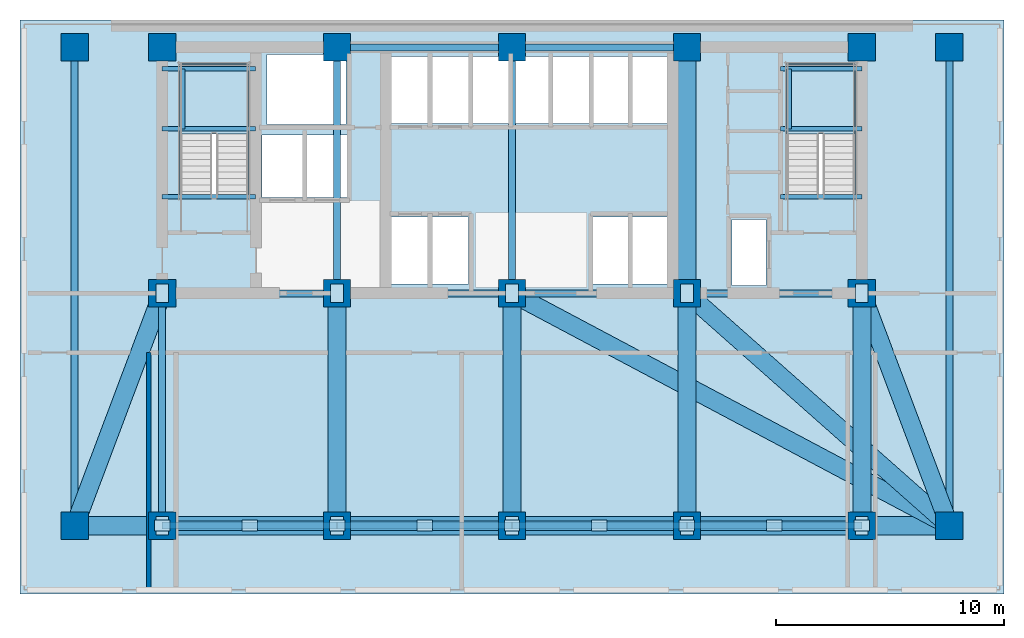
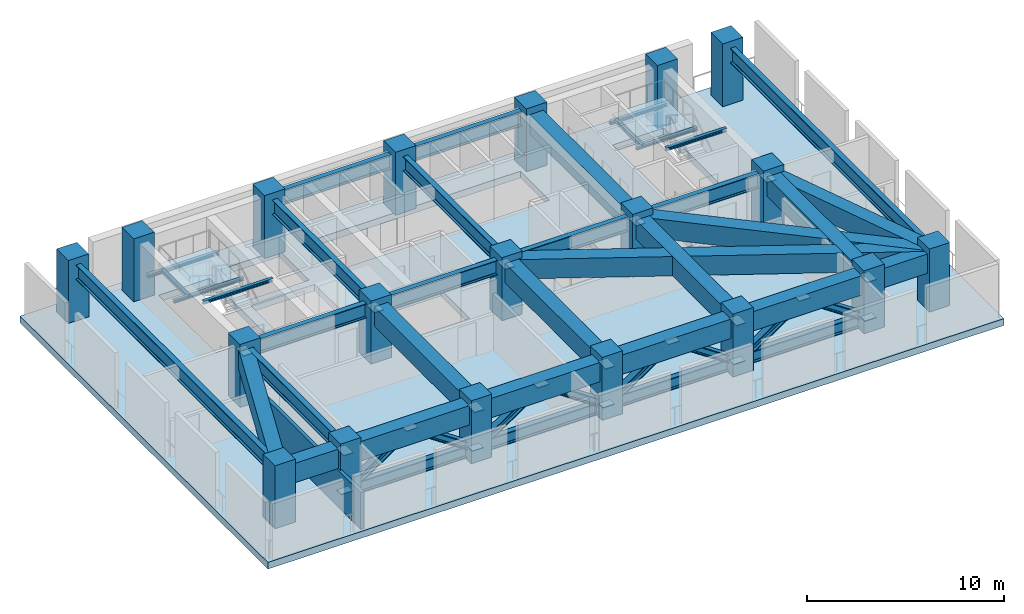
# One storey, part 1 of 7: 29 beams, 19 columns, 19 plates, 12 members, 3 slabs, 1 wall, 2 elements without a shape of their own.
"""IFC4 building model written with IfcOpenShell, lengths in metres."""

from ifc_helpers import new_model, si_unit, direction, frame, frame_2d, origin, origin_2d, place, context, subcontext, project, spatial, polyline, rectangle, i_section, outline, extrude, material, layer, layer_set, material_profile, profile_set, type_object, element, aggregate, save


model = new_model("IFC4")

# Units and contexts
model_context = context("Model", 3, precision=1e-05, world=origin(), true_north=direction((0.0, 1.0)))
body_context = subcontext(model_context, "Body", "Model", "MODEL_VIEW")
ifc_project = project(units=[si_unit("LENGTHUNIT", "METRE"), si_unit("AREAUNIT", "SQUARE_METRE"), si_unit("VOLUMEUNIT", "CUBIC_METRE"), si_unit("PLANEANGLEUNIT", "RADIAN"), si_unit("MASSUNIT", "GRAM", prefix="KILO")], contexts=[model_context])

# Site, building, storey
site_placement = place(None, origin())
site = spatial("IfcSite", under=ifc_project, at=site_placement, CompositionType="ELEMENT")
building_placement = place(site_placement, origin())
building = spatial("IfcBuilding", under=site, at=building_placement, Name="Yelkora Congress Tower", CompositionType="ELEMENT")
storey_placement = place(building_placement, frame((0.0, 0.0, 85.800048828125)))
storey = spatial("IfcBuildingStorey", under=building, at=storey_placement, Name="L22", CompositionType="ELEMENT", Elevation=85.800048828125)

# Columns
ifc_material_1 = material(Name="Concrete C60/75", Category="concrete")
ifc_material_profile_1 = material_profile(ifc_material_1, rectangle(XDim=1.199951171875, YDim=1.199951171875, at=origin_2d()), Name="RC 1200x1200")
ifc_profile_set_1 = profile_set([ifc_material_profile_1], Name="Concrete C60/75")
column_type = type_object("IfcColumnType", Name="COL-RC-1200", PredefinedType="COLUMN", material=ifc_profile_set_1)
for number, where, z_axis, x_axis, name in (
    (1, (23.0400390625, 35.39990234375, 0.0), (0.0, 0.0, 1.0), (1.0, 0.0, 0.0), "L22 Mega Column MC-S1"),
    (2, (23.0400390625, 46.199951171875, 0.0), (0.0, 0.0, 1.0), (1.0, 0.0, 0.0), "L22 Mega Column MC-N1"),
    (3, (23.0400390625, 25.199951171875, 0.0), (0.0, 0.0, 1.0), (1.0, 0.0, 0.0), "L22 Mega Column MC-D1"),
    (4, (30.719970703125, 35.39990234375, 0.0), (0.0, 0.0, 1.0), (1.0, 0.0, 0.0), "L22 Mega Column MC-S2"),
    (5, (30.719970703125, 46.199951171875, 0.0), (0.0, 0.0, 1.0), (1.0, 0.0, 0.0), "L22 Mega Column MC-N2"),
    (6, (30.719970703125, 25.199951171875, 0.0), (0.0, 0.0, 1.0), (1.0, 0.0, 0.0), "L22 Mega Column MC-D2"),
    (7, (38.39990234375, 35.39990234375, 0.0), (0.0, 0.0, 1.0), (1.0, 0.0, 0.0), "L22 Mega Column MC-S3"),
    (8, (38.39990234375, 46.199951171875, 0.0), (0.0, 0.0, 1.0), (1.0, 0.0, 0.0), "L22 Mega Column MC-N3"),
    (9, (38.39990234375, 25.199951171875, 0.0), (0.0, 0.0, 1.0), (1.0, 0.0, 0.0), "L22 Mega Column MC-D3"),
    (10, (46.080078125, 35.39990234375, 0.0), (0.0, 0.0, 1.0), (1.0, 0.0, 0.0), "L22 Mega Column MC-S4"),
    (11, (46.080078125, 46.199951171875, 0.0), (0.0, 0.0, 1.0), (1.0, 0.0, 0.0), "L22 Mega Column MC-N4"),
    (12, (46.080078125, 25.199951171875, 0.0), (0.0, 0.0, 1.0), (1.0, 0.0, 0.0), "L22 Mega Column MC-D4"),
    (13, (53.760009765625, 35.39990234375, 0.0), (0.0, 0.0, 1.0), (1.0, 0.0, 0.0), "L22 Mega Column MC-S5"),
    (14, (53.760009765625, 46.199951171875, 0.0), (0.0, 0.0, 1.0), (1.0, 0.0, 0.0), "L22 Mega Column MC-N5"),
    (15, (53.760009765625, 25.199951171875, 0.0), (0.0, 0.0, 1.0), (1.0, 0.0, 0.0), "L22 Mega Column MC-D5"),
    (16, (19.199951171875, 25.199951171875, 0.0), (0.0, 0.0, 1.0), (1.0, 0.0, 0.0), "L22 Mega Column MC-F1"),
    (17, (57.60009765625, 25.199951171875, 0.0), (0.0, 0.0, 1.0), (1.0, 0.0, 0.0), "L22 Mega Column MC-F2"),
    (18, (19.199951171875, 46.199951171875, 0.0), (0.0, 0.0, 1.0), (1.0, 0.0, 0.0), "L22 Mega Column MC-F3"),
    (19, (57.60009765625, 46.199951171875, 0.0), (0.0, 0.0, 1.0), (1.0, 0.0, 0.0), "L22 Mega Column MC-F4"),
):
    element("IfcColumn", number, at=place(storey_placement, frame(where, z_axis=z_axis, x_axis=x_axis)), inside=storey, type_object=column_type, Name=name, PredefinedType="COLUMN", context=body_context, shape_type="SweptSolid", body=[
        extrude(rectangle(XDim=1.199951171875, YDim=1.199951171875, at=origin_2d()), origin(), (0.0, 0.0, 1.0), 3.89990234375),
    ])

# Beams
ifc_material_2 = material(Name="Steel S355J2", Category="steel")
ifc_material_profile_2 = material_profile(ifc_material_2, i_section(OverallWidth=0.199951171875, OverallDepth=0.18994140625, WebThickness=0.006591796875, FlangeThickness=0.010009765625, FilletRadius=0.01806640625, at=origin_2d()), Name="HEA 200")
ifc_profile_set_2 = profile_set([ifc_material_profile_2], Name="Steel S355J2")
beam_type_1 = type_object("IfcBeamType", Name="BM-LAND-HEA200", PredefinedType="BEAM", material=ifc_profile_set_2)
for number, where, z_axis, x_axis, name in (
    (20, (23.0400390625, 42.6201171875, 1.634521484375), (1.0, 0.0, 0.0), (0.0, 1.0, 0.0), "ST-01 L22 Landing Header Beam 1S"),
    (21, (23.0400390625, 45.25, 1.634521484375), (1.0, 0.0, 0.0), (0.0, 1.0, 0.0), "ST-01 L22 Landing Header Beam 1N"),
):
    element("IfcBeam", number, at=place(storey_placement, frame(where, z_axis=z_axis, x_axis=x_axis)), inside=storey, type_object=beam_type_1, Name=name, PredefinedType="BEAM", context=body_context, shape_type="SweptSolid", body=[
        extrude(i_section(OverallWidth=0.199951171875, OverallDepth=0.18994140625, WebThickness=0.006591796875, FlangeThickness=0.010009765625, FilletRadius=0.01806640625, at=origin_2d()), origin(), (0.0, 0.0, 1.0), 4.10986328125),
    ])
beam_1_placement = place(storey_placement, frame((23.93994140625, 42.6201171875, 1.634521484375), z_axis=(0.0, 1.0, 0.0), x_axis=(-1.0, 0.0, 0.0)))
element("IfcBeam", 22, at=beam_1_placement, inside=storey, type_object=beam_type_1, Name="ST-01 L22 Landing Trimmer Beam 1M", PredefinedType="BEAM", context=body_context, shape_type="SweptSolid", body=[
    extrude(i_section(OverallWidth=0.199951171875, OverallDepth=0.18994140625, WebThickness=0.006591796875, FlangeThickness=0.010009765625, FilletRadius=0.01806640625, at=origin_2d()), origin(), (0.0, 0.0, 1.0), 2.6298828125),
])
beam_2_placement = place(storey_placement, frame((23.0400390625, 39.639892578125, 3.384521484375), z_axis=(1.0, 0.0, 0.0), x_axis=(0.0, 1.0, 0.0)))
element("IfcBeam", 23, at=beam_2_placement, inside=storey, type_object=beam_type_1, Name="ST-01 L22 Floor Arrival Stringer Header Beam", PredefinedType="BEAM", context=body_context, shape_type="SweptSolid", body=[
    extrude(i_section(OverallWidth=0.199951171875, OverallDepth=0.18994140625, WebThickness=0.006591796875, FlangeThickness=0.010009765625, FilletRadius=0.01806640625, at=origin_2d()), origin(), (0.0, 0.0, 1.0), 4.10986328125),
])
for number, where, z_axis, x_axis, name in (
    (24, (50.179931640625, 42.6201171875, 1.634521484375), (1.0, 0.0, 0.0), (0.0, 1.0, 0.0), "ST-02 L22 Landing Header Beam 1S"),
    (25, (50.179931640625, 45.25, 1.634521484375), (1.0, 0.0, 0.0), (0.0, 1.0, 0.0), "ST-02 L22 Landing Header Beam 1N"),
):
    element("IfcBeam", number, at=place(storey_placement, frame(where, z_axis=z_axis, x_axis=x_axis)), inside=storey, type_object=beam_type_1, Name=name, PredefinedType="BEAM", context=body_context, shape_type="SweptSolid", body=[
        extrude(i_section(OverallWidth=0.199951171875, OverallDepth=0.18994140625, WebThickness=0.006591796875, FlangeThickness=0.010009765625, FilletRadius=0.01806640625, at=origin_2d()), origin(), (0.0, 0.0, 1.0), 3.580078125),
    ])
beam_3_placement = place(storey_placement, frame((50.580078125, 42.6201171875, 1.634521484375), z_axis=(0.0, 1.0, 0.0), x_axis=(-1.0, 0.0, 0.0)))
element("IfcBeam", 26, at=beam_3_placement, inside=storey, type_object=beam_type_1, Name="ST-02 L22 Landing Trimmer Beam 1M", PredefinedType="BEAM", context=body_context, shape_type="SweptSolid", body=[
    extrude(i_section(OverallWidth=0.199951171875, OverallDepth=0.18994140625, WebThickness=0.006591796875, FlangeThickness=0.010009765625, FilletRadius=0.01806640625, at=origin_2d()), origin(), (0.0, 0.0, 1.0), 2.6298828125),
])
beam_4_placement = place(storey_placement, frame((50.179931640625, 39.639892578125, 3.384521484375), z_axis=(1.0, 0.0, 0.0), x_axis=(0.0, 1.0, 0.0)))
element("IfcBeam", 27, at=beam_4_placement, inside=storey, type_object=beam_type_1, Name="ST-02 L22 Floor Arrival Stringer Header Beam", PredefinedType="BEAM", context=body_context, shape_type="SweptSolid", body=[
    extrude(i_section(OverallWidth=0.199951171875, OverallDepth=0.18994140625, WebThickness=0.006591796875, FlangeThickness=0.010009765625, FilletRadius=0.01806640625, at=origin_2d()), origin(), (0.0, 0.0, 1.0), 3.580078125),
])
ifc_material_3 = material(Name="Steel S460M", Category="steel")
ifc_material_profile_3 = material_profile(ifc_material_3, i_section(OverallWidth=0.302001953125, OverallDepth=0.909912109375, WebThickness=0.02099609375, FlangeThickness=0.0400390625, FilletRadius=0.030029296875, at=origin_2d()), Name="HEM 900")
ifc_profile_set_3 = profile_set([ifc_material_profile_3], Name="Steel S460M")
beam_type_2 = type_object("IfcBeamType", Name="BM-XFER-HEM900", PredefinedType="BEAM", material=ifc_profile_set_3)
beam_5_placement = place(storey_placement, frame((30.719970703125, 46.199951171875, 3.02490234375), z_axis=(1.0, 0.0, 0.0), x_axis=(0.0, 1.0, 0.0)))
element("IfcBeam", 28, at=beam_5_placement, inside=storey, type_object=beam_type_2, Name="L22 Core North Girder 3", PredefinedType="BEAM", context=body_context, shape_type="SweptSolid", body=[
    extrude(i_section(OverallWidth=0.302001953125, OverallDepth=0.909912109375, WebThickness=0.02099609375, FlangeThickness=0.0400390625, FilletRadius=0.030029296875, at=origin_2d()), origin(), (0.0, 0.0, 1.0), 7.679931640625),
])
beam_6_placement = place(storey_placement, frame((38.39990234375, 46.199951171875, 3.02490234375), z_axis=(1.0, 0.0, 0.0), x_axis=(0.0, 1.0, 0.0)))
element("IfcBeam", 29, at=beam_6_placement, inside=storey, type_object=beam_type_2, Name="L22 Core North Girder 4", PredefinedType="BEAM", context=body_context, shape_type="SweptSolid", body=[
    extrude(i_section(OverallWidth=0.302001953125, OverallDepth=0.909912109375, WebThickness=0.02099609375, FlangeThickness=0.0400390625, FilletRadius=0.030029296875, at=origin_2d()), origin(), (0.0, 0.0, 1.0), 7.68017578125),
])
for number, where, z_axis, x_axis, name in (
    (30, (23.0400390625, 35.39990234375, 3.02490234375), (1.0, 0.0, 0.0), (0.0, 1.0, 0.0), "L22 Core South Girder 1"),
    (31, (30.719970703125, 35.39990234375, 3.02490234375), (1.0, 0.0, 0.0), (0.0, 1.0, 0.0), "L22 Core South Girder 2"),
):
    element("IfcBeam", number, at=place(storey_placement, frame(where, z_axis=z_axis, x_axis=x_axis)), inside=storey, type_object=beam_type_2, Name=name, PredefinedType="BEAM", context=body_context, shape_type="SweptSolid", body=[
        extrude(i_section(OverallWidth=0.302001953125, OverallDepth=0.909912109375, WebThickness=0.02099609375, FlangeThickness=0.0400390625, FilletRadius=0.030029296875, at=origin_2d()), origin(), (0.0, 0.0, 1.0), 7.679931640625),
    ])
beam_7_placement = place(storey_placement, frame((38.39990234375, 35.39990234375, 3.02490234375), z_axis=(1.0, 0.0, 0.0), x_axis=(0.0, 1.0, 0.0)))
element("IfcBeam", 32, at=beam_7_placement, inside=storey, type_object=beam_type_2, Name="L22 Core South Girder 3", PredefinedType="BEAM", context=body_context, shape_type="SweptSolid", body=[
    extrude(i_section(OverallWidth=0.302001953125, OverallDepth=0.909912109375, WebThickness=0.02099609375, FlangeThickness=0.0400390625, FilletRadius=0.030029296875, at=origin_2d()), origin(), (0.0, 0.0, 1.0), 7.68017578125),
])
beam_8_placement = place(storey_placement, frame((46.080078125, 35.39990234375, 3.02490234375), z_axis=(1.0, 0.0, 0.0), x_axis=(0.0, 1.0, 0.0)))
element("IfcBeam", 33, at=beam_8_placement, inside=storey, type_object=beam_type_2, Name="L22 Core South Girder 4", PredefinedType="BEAM", context=body_context, shape_type="SweptSolid", body=[
    extrude(i_section(OverallWidth=0.302001953125, OverallDepth=0.909912109375, WebThickness=0.02099609375, FlangeThickness=0.0400390625, FilletRadius=0.030029296875, at=origin_2d()), origin(), (0.0, 0.0, 1.0), 7.679931640625),
])
beam_9_placement = place(storey_placement, frame((23.0400390625, 25.199951171875, 3.02490234375), z_axis=(0.0, 1.0, 0.0), x_axis=(-1.0, 0.0, 0.0)))
element("IfcBeam", 34, at=beam_9_placement, inside=storey, type_object=beam_type_2, Name="L22 Core Tie Girder MC-D1", PredefinedType="BEAM", context=body_context, shape_type="SweptSolid", body=[
    extrude(i_section(OverallWidth=0.302001953125, OverallDepth=0.909912109375, WebThickness=0.02099609375, FlangeThickness=0.0400390625, FilletRadius=0.030029296875, at=origin_2d()), origin(), (0.0, 0.0, 1.0), 10.199951171875),
])
for number, where, z_axis, x_axis, name in (
    (35, (30.719970703125, 35.39990234375, 3.02490234375), (0.0, 1.0, 0.0), (-1.0, 0.0, 0.0), "L22 Core Tie Girder MC-S2"),
    (36, (38.39990234375, 35.39990234375, 3.02490234375), (0.0, 1.0, 0.0), (-1.0, 0.0, 0.0), "L22 Core Tie Girder MC-S3"),
):
    element("IfcBeam", number, at=place(storey_placement, frame(where, z_axis=z_axis, x_axis=x_axis)), inside=storey, type_object=beam_type_2, Name=name, PredefinedType="BEAM", context=body_context, shape_type="SweptSolid", body=[
        extrude(i_section(OverallWidth=0.302001953125, OverallDepth=0.909912109375, WebThickness=0.02099609375, FlangeThickness=0.0400390625, FilletRadius=0.030029296875, at=origin_2d()), origin(), (0.0, 0.0, 1.0), 10.800048828125),
    ])
for number, where, z_axis, x_axis, name in (
    (37, (19.199951171875, 25.199951171875, 3.02490234375), (0.0, 1.0, 0.0), (-1.0, 0.0, 0.0), "L22 Neck Flank Girder MC-F1"),
    (38, (57.60009765625, 25.199951171875, 3.02490234375), (0.0, 1.0, 0.0), (-1.0, 0.0, 0.0), "L22 Neck Flank Girder MC-F2"),
):
    element("IfcBeam", number, at=place(storey_placement, frame(where, z_axis=z_axis, x_axis=x_axis)), inside=storey, type_object=beam_type_2, Name=name, PredefinedType="BEAM", context=body_context, shape_type="SweptSolid", body=[
        extrude(i_section(OverallWidth=0.302001953125, OverallDepth=0.909912109375, WebThickness=0.02099609375, FlangeThickness=0.0400390625, FilletRadius=0.030029296875, at=origin_2d()), origin(), (0.0, 0.0, 1.0), 21.0),
    ])
ifc_material_profile_4 = material_profile(ifc_material_1, rectangle(XDim=0.800048828125, YDim=1.199951171875, at=origin_2d()), Name="RC 800x1200")
ifc_profile_set_4 = profile_set([ifc_material_profile_4], Name="Concrete C60/75")
beam_type_3 = type_object("IfcBeamType", Name="BM-XFER-RC1200", PredefinedType="BEAM", material=ifc_profile_set_4)
beam_10_placement = place(storey_placement, frame((23.0400390625, 35.39990234375, 2.8798828125), z_axis=(-0.352338299189, -0.935872706582, 0.0), x_axis=(0.935872706582, -0.352338299189, 0.0)))
element("IfcBeam", 39, at=beam_10_placement, inside=storey, type_object=beam_type_3, Name="L22 Transfer Backspan Girder S01", PredefinedType="BEAM", context=body_context, shape_type="SweptSolid", body=[
    extrude(rectangle(XDim=0.800048828125, YDim=1.199951171875, at=origin_2d()), origin(), (0.0, 0.0, 1.0), 10.89892578125),
])
for number, where, z_axis, x_axis, name in (
    (40, (30.719970703125, 35.39990234375, 2.8798828125), (0.0, -1.0, 0.0), (1.0, 0.0, 0.0), "L22 Transfer Backspan Girder S02"),
    (41, (38.39990234375, 35.39990234375, 2.8798828125), (0.0, -1.0, 0.0), (1.0, 0.0, 0.0), "L22 Transfer Backspan Girder S03"),
    (42, (46.080078125, 35.39990234375, 2.8798828125), (0.0, -1.0, 0.0), (1.0, 0.0, 0.0), "L22 Transfer Backspan Girder S04"),
    (43, (53.760009765625, 35.39990234375, 2.8798828125), (0.0, -1.0, 0.0), (1.0, 0.0, 0.0), "L22 Transfer Backspan Girder S05"),
):
    element("IfcBeam", number, at=place(storey_placement, frame(where, z_axis=z_axis, x_axis=x_axis)), inside=storey, type_object=beam_type_3, Name=name, PredefinedType="BEAM", context=body_context, shape_type="SweptSolid", body=[
        extrude(rectangle(XDim=0.800048828125, YDim=1.199951171875, at=origin_2d()), origin(), (0.0, 0.0, 1.0), 10.199951171875),
    ])
beam_11_placement = place(storey_placement, frame((53.760009765625, 35.39990234375, 2.8798828125), z_axis=(0.352338299189, -0.935872706582, 0.0), x_axis=(0.935872706582, 0.352338299189, 0.0)))
element("IfcBeam", 44, at=beam_11_placement, inside=storey, type_object=beam_type_3, Name="L22 Transfer Backspan Girder S06", PredefinedType="BEAM", context=body_context, shape_type="SweptSolid", body=[
    extrude(rectangle(XDim=0.800048828125, YDim=1.199951171875, at=origin_2d()), origin(), (0.0, 0.0, 1.0), 10.89892578125),
])
beam_12_placement = place(storey_placement, frame((46.080078125, 35.39990234375, 2.8798828125), z_axis=(0.748700900637, -0.662907958456, 0.0), x_axis=(0.662907958456, 0.748700900637, 0.0)))
element("IfcBeam", 45, at=beam_12_placement, inside=storey, type_object=beam_type_3, Name="L22 Transfer Backspan Girder S07", PredefinedType="BEAM", context=body_context, shape_type="SweptSolid", body=[
    extrude(rectangle(XDim=0.800048828125, YDim=1.199951171875, at=origin_2d()), origin(), (0.0, 0.0, 1.0), 15.38671875),
])
beam_13_placement = place(storey_placement, frame((38.39990234375, 35.39990234375, 2.8798828125), z_axis=(0.883118627261, -0.469149752408, 0.0), x_axis=(0.469149752408, 0.883118627261, 0.0)))
element("IfcBeam", 46, at=beam_13_placement, inside=storey, type_object=beam_type_3, Name="L22 Transfer Backspan Girder S08", PredefinedType="BEAM", context=body_context, shape_type="SweptSolid", body=[
    extrude(rectangle(XDim=0.800048828125, YDim=1.199951171875, at=origin_2d()), origin(), (0.0, 0.0, 1.0), 21.741455078125),
])
beam_14_placement = place(storey_placement, frame((46.080078125, 35.39990234375, 2.8798828125), z_axis=(0.0, 1.0, 0.0), x_axis=(-1.0, 0.0, 0.0)))
element("IfcBeam", 47, at=beam_14_placement, inside=storey, type_object=beam_type_3, Name="L22 Transfer Backspan Girder N05", PredefinedType="BEAM", context=body_context, shape_type="SweptSolid", body=[
    extrude(rectangle(XDim=0.800048828125, YDim=1.199951171875, at=origin_2d()), origin(), (0.0, 0.0, 1.0), 10.800048828125),
])
beam_15_placement = place(storey_placement, frame((19.199951171875, 25.199951171875, 2.8798828125), z_axis=(1.0, 0.0, 0.0), x_axis=(0.0, 1.0, 0.0)))
element("IfcBeam", 48, at=beam_15_placement, inside=storey, type_object=beam_type_3, Name="L22 Transfer Backspan Girder E01", PredefinedType="BEAM", context=body_context, shape_type="SweptSolid", body=[
    extrude(rectangle(XDim=0.800048828125, YDim=1.199951171875, at=origin_2d()), origin(), (0.0, 0.0, 1.0), 38.400146484375),
])

# Members
ifc_material_profile_5 = material_profile(ifc_material_3, i_section(OverallWidth=0.406005859375, OverallDepth=0.416015625, WebThickness=0.02978515625, FlangeThickness=0.048095703125, FilletRadius=0.014892578125, at=origin_2d()), Name="HD 400x382")
ifc_profile_set_5 = profile_set([ifc_material_profile_5], Name="Steel S460M")
member_type_1 = type_object("IfcMemberType", Name="MEM-BRACE-HD382", PredefinedType="BRACE", material=ifc_profile_set_5)
member_1_placement = place(storey_placement, frame((23.0400390625, 25.199951171875, 0.449951171875), z_axis=(0.830031277085, 0.0, 0.557716844878), x_axis=(0.0, 1.0, 0.0)))
element("IfcMember", 49, at=member_1_placement, inside=storey, type_object=member_type_1, Name="N1 L22 Outrigger Belt Diagonal 1A", PredefinedType="BRACE", context=body_context, shape_type="SweptSolid", body=[
    extrude(i_section(OverallWidth=0.406005859375, OverallDepth=0.416015625, WebThickness=0.02978515625, FlangeThickness=0.048095703125, FilletRadius=0.014892578125, at=origin_2d()), origin(), (0.0, 0.0, 1.0), 4.626220703125),
])
for number, where, z_axis, x_axis, name in (
    (50, (30.719970703125, 25.199951171875, 0.449951171875), (-0.830047691294, 0.0, 0.557692415385), (0.0, -1.0, 0.0), "N1 L22 Outrigger Belt Diagonal 1B"),
    (51, (30.719970703125, 25.199951171875, 0.449951171875), (0.830047691294, 0.0, 0.557692415385), (0.0, 1.0, 0.0), "N1 L22 Outrigger Belt Diagonal 2A"),
):
    element("IfcMember", number, at=place(storey_placement, frame(where, z_axis=z_axis, x_axis=x_axis)), inside=storey, type_object=member_type_1, Name=name, PredefinedType="BRACE", context=body_context, shape_type="SweptSolid", body=[
        extrude(i_section(OverallWidth=0.406005859375, OverallDepth=0.416015625, WebThickness=0.02978515625, FlangeThickness=0.048095703125, FilletRadius=0.014892578125, at=origin_2d()), origin(), (0.0, 0.0, 1.0), 4.62646484375),
    ])
member_2_placement = place(storey_placement, frame((38.39990234375, 25.199951171875, 0.449951171875), z_axis=(-0.830031277085, 0.0, 0.557716844878), x_axis=(0.0, -1.0, 0.0)))
element("IfcMember", 52, at=member_2_placement, inside=storey, type_object=member_type_1, Name="N1 L22 Outrigger Belt Diagonal 2B", PredefinedType="BRACE", context=body_context, shape_type="SweptSolid", body=[
    extrude(i_section(OverallWidth=0.406005859375, OverallDepth=0.416015625, WebThickness=0.02978515625, FlangeThickness=0.048095703125, FilletRadius=0.014892578125, at=origin_2d()), origin(), (0.0, 0.0, 1.0), 4.626220703125),
])
for number, where, z_axis, x_axis, name in (
    (53, (38.39990234375, 25.199951171875, 0.449951171875), (0.830047691294, 0.0, 0.557692415385), (0.0, 1.0, 0.0), "N1 L22 Outrigger Belt Diagonal 3A"),
    (54, (46.080078125, 25.199951171875, 0.449951171875), (-0.830047691294, 0.0, 0.557692415385), (0.0, -1.0, 0.0), "N1 L22 Outrigger Belt Diagonal 3B"),
):
    element("IfcMember", number, at=place(storey_placement, frame(where, z_axis=z_axis, x_axis=x_axis)), inside=storey, type_object=member_type_1, Name=name, PredefinedType="BRACE", context=body_context, shape_type="SweptSolid", body=[
        extrude(i_section(OverallWidth=0.406005859375, OverallDepth=0.416015625, WebThickness=0.02978515625, FlangeThickness=0.048095703125, FilletRadius=0.014892578125, at=origin_2d()), origin(), (0.0, 0.0, 1.0), 4.62646484375),
    ])
member_3_placement = place(storey_placement, frame((46.080078125, 25.199951171875, 0.449951171875), z_axis=(0.830031277085, 0.0, 0.557716844878), x_axis=(0.0, 1.0, 0.0)))
element("IfcMember", 55, at=member_3_placement, inside=storey, type_object=member_type_1, Name="N1 L22 Outrigger Belt Diagonal 4A", PredefinedType="BRACE", context=body_context, shape_type="SweptSolid", body=[
    extrude(i_section(OverallWidth=0.406005859375, OverallDepth=0.416015625, WebThickness=0.02978515625, FlangeThickness=0.048095703125, FilletRadius=0.014892578125, at=origin_2d()), origin(), (0.0, 0.0, 1.0), 4.626220703125),
])
member_4_placement = place(storey_placement, frame((53.760009765625, 25.199951171875, 0.449951171875), z_axis=(-0.830047691294, 0.0, 0.557692415385), x_axis=(0.0, -1.0, 0.0)))
element("IfcMember", 56, at=member_4_placement, inside=storey, type_object=member_type_1, Name="N1 L22 Outrigger Belt Diagonal 4B", PredefinedType="BRACE", context=body_context, shape_type="SweptSolid", body=[
    extrude(i_section(OverallWidth=0.406005859375, OverallDepth=0.416015625, WebThickness=0.02978515625, FlangeThickness=0.048095703125, FilletRadius=0.014892578125, at=origin_2d()), origin(), (0.0, 0.0, 1.0), 4.62646484375),
])
ifc_material_profile_6 = material_profile(ifc_material_3, i_section(OverallWidth=0.303955078125, OverallDepth=0.716064453125, WebThickness=0.02099609375, FlangeThickness=0.0400390625, FilletRadius=0.027099609375, at=origin_2d()), Name="HEM 700")
ifc_profile_set_6 = profile_set([ifc_material_profile_6], Name="Steel S460M")
member_type_2 = type_object("IfcMemberType", Name="MEM-CHORD-HEM700", PredefinedType="CHORD", material=ifc_profile_set_6)
for number, where, z_axis, x_axis, name in (
    (57, (23.0400390625, 25.199951171875, 0.449951171875), (1.0, 0.0, 0.0), (0.0, 1.0, 0.0), "N1 L22 Belt Truss Chord 1"),
    (58, (30.719970703125, 25.199951171875, 0.449951171875), (1.0, 0.0, 0.0), (0.0, 1.0, 0.0), "N1 L22 Belt Truss Chord 2"),
):
    element("IfcMember", number, at=place(storey_placement, frame(where, z_axis=z_axis, x_axis=x_axis)), inside=storey, type_object=member_type_2, Name=name, PredefinedType="CHORD", context=body_context, shape_type="SweptSolid", body=[
        extrude(i_section(OverallWidth=0.303955078125, OverallDepth=0.716064453125, WebThickness=0.02099609375, FlangeThickness=0.0400390625, FilletRadius=0.027099609375, at=origin_2d()), origin(), (0.0, 0.0, 1.0), 7.679931640625),
    ])
member_5_placement = place(storey_placement, frame((38.39990234375, 25.199951171875, 0.449951171875), z_axis=(1.0, 0.0, 0.0), x_axis=(0.0, 1.0, 0.0)))
element("IfcMember", 59, at=member_5_placement, inside=storey, type_object=member_type_2, Name="N1 L22 Belt Truss Chord 3", PredefinedType="CHORD", context=body_context, shape_type="SweptSolid", body=[
    extrude(i_section(OverallWidth=0.303955078125, OverallDepth=0.716064453125, WebThickness=0.02099609375, FlangeThickness=0.0400390625, FilletRadius=0.027099609375, at=origin_2d()), origin(), (0.0, 0.0, 1.0), 7.68017578125),
])
member_6_placement = place(storey_placement, frame((46.080078125, 25.199951171875, 0.449951171875), z_axis=(1.0, 0.0, 0.0), x_axis=(0.0, 1.0, 0.0)))
element("IfcMember", 60, at=member_6_placement, inside=storey, type_object=member_type_2, Name="N1 L22 Belt Truss Chord 4", PredefinedType="CHORD", context=body_context, shape_type="SweptSolid", body=[
    extrude(i_section(OverallWidth=0.303955078125, OverallDepth=0.716064453125, WebThickness=0.02099609375, FlangeThickness=0.0400390625, FilletRadius=0.027099609375, at=origin_2d()), origin(), (0.0, 0.0, 1.0), 7.679931640625),
])

# Plates
ifc_layer_1 = layer(ifc_material_2, 0.050048828125)
ifc_layer_set_1 = layer_set([ifc_layer_1], Name="Steel S355J2")
plate_type_1 = type_object("IfcPlateType", Name="PLT-GUSSET-680x480", PredefinedType="USERDEFINED", material=ifc_layer_set_1)
for number, where, z_axis, x_axis, name in (
    (61, (26.8798828125, 25.199951171875, 3.0048828125), (0.0, 0.0, 1.0), (1.0, 0.0, 0.0), "N1 L22 Belt Truss Apex Gusset Plate 1"),
    (62, (23.0400390625, 25.199951171875, 0.4248046875), (0.0, 0.0, 1.0), (1.0, 0.0, 0.0), "N1 L22 Belt Truss Foot Gusset Plate 1L"),
    (63, (34.56005859375, 25.199951171875, 3.0048828125), (0.0, 0.0, 1.0), (1.0, 0.0, 0.0), "N1 L22 Belt Truss Apex Gusset Plate 2"),
    (64, (30.719970703125, 25.199951171875, 0.4248046875), (0.0, 0.0, 1.0), (1.0, 0.0, 0.0), "N1 L22 Belt Truss Foot Gusset Plate 2L"),
    (65, (42.239990234375, 25.199951171875, 3.0048828125), (0.0, 0.0, 1.0), (1.0, 0.0, 0.0), "N1 L22 Belt Truss Apex Gusset Plate 3"),
    (66, (38.39990234375, 25.199951171875, 0.4248046875), (0.0, 0.0, 1.0), (1.0, 0.0, 0.0), "N1 L22 Belt Truss Foot Gusset Plate 3L"),
    (67, (49.919921875, 25.199951171875, 3.0048828125), (0.0, 0.0, 1.0), (1.0, 0.0, 0.0), "N1 L22 Belt Truss Apex Gusset Plate 4"),
    (68, (46.080078125, 25.199951171875, 0.4248046875), (0.0, 0.0, 1.0), (1.0, 0.0, 0.0), "N1 L22 Belt Truss Foot Gusset Plate 4L"),
    (69, (53.760009765625, 25.199951171875, 0.4248046875), (0.0, 0.0, 1.0), (1.0, 0.0, 0.0), "N1 L22 Belt Truss Foot Gusset Plate R"),
):
    element("IfcPlate", number, at=place(storey_placement, frame(where, z_axis=z_axis, x_axis=x_axis)), inside=storey, type_object=plate_type_1, Name=name, ObjectType="GUSSET_PLATE", PredefinedType="USERDEFINED", context=body_context, shape_type="SweptSolid", body=[
        extrude(rectangle(XDim=0.679931640625, YDim=0.47998046875, at=origin_2d()), origin(), (0.0, 0.0, 1.0), 0.050048828125),
    ])
ifc_layer_2 = layer(ifc_material_3, 0.06005859375)
ifc_layer_set_2 = layer_set([ifc_layer_2], Name="Steel S460M")
plate_type_2 = type_object("IfcPlateType", Name="PLT-GUSSET-800x560", PredefinedType="USERDEFINED", material=ifc_layer_set_2)
for number, where, z_axis, x_axis, name in (
    (70, (23.0400390625, 35.39990234375, 2.89990234375), (0.0, 0.0, 1.0), (0.0, 1.0, 0.0), "N1 Outrigger End Gusset Plate 1CT"),
    (71, (23.0400390625, 25.199951171875, 2.89990234375), (0.0, 0.0, 1.0), (0.0, 1.0, 0.0), "N1 Outrigger End Gusset Plate 1ST"),
    (72, (30.719970703125, 35.39990234375, 2.89990234375), (0.0, 0.0, 1.0), (0.0, 1.0, 0.0), "N1 Outrigger End Gusset Plate 2CT"),
    (73, (30.719970703125, 25.199951171875, 2.89990234375), (0.0, 0.0, 1.0), (0.0, 1.0, 0.0), "N1 Outrigger End Gusset Plate 2ST"),
    (74, (38.39990234375, 35.39990234375, 2.89990234375), (0.0, 0.0, 1.0), (0.0, 1.0, 0.0), "N1 Outrigger End Gusset Plate 3CT"),
    (75, (38.39990234375, 25.199951171875, 2.89990234375), (0.0, 0.0, 1.0), (0.0, 1.0, 0.0), "N1 Outrigger End Gusset Plate 3ST"),
    (76, (46.080078125, 35.39990234375, 2.89990234375), (0.0, 0.0, 1.0), (0.0, 1.0, 0.0), "N1 Outrigger End Gusset Plate 4CT"),
    (77, (46.080078125, 25.199951171875, 2.89990234375), (0.0, 0.0, 1.0), (0.0, 1.0, 0.0), "N1 Outrigger End Gusset Plate 4ST"),
    (78, (53.760009765625, 35.39990234375, 2.89990234375), (0.0, 0.0, 1.0), (0.0, 1.0, 0.0), "N1 Outrigger End Gusset Plate 5CT"),
    (79, (53.760009765625, 25.199951171875, 2.89990234375), (0.0, 0.0, 1.0), (0.0, 1.0, 0.0), "N1 Outrigger End Gusset Plate 5ST"),
):
    element("IfcPlate", number, at=place(storey_placement, frame(where, z_axis=z_axis, x_axis=x_axis)), inside=storey, type_object=plate_type_2, Name=name, ObjectType="GUSSET_PLATE", PredefinedType="USERDEFINED", context=body_context, shape_type="SweptSolid", body=[
        extrude(rectangle(XDim=0.800048828125, YDim=0.56005859375, at=origin_2d()), origin(), (0.0, 0.0, 1.0), 0.06005859375),
    ])

# Stair, slab
ifc_material_4 = material(Name="Concrete C40/50", Category="concrete")
stair_type = type_object("IfcStairType", Name="STAIR-HT-1420-R22-177", PredefinedType="HALF_TURN_STAIR", material=ifc_material_4)
stair_1_placement = place(storey_placement, origin())
stair_1 = element("IfcStair", 80, at=stair_1_placement, inside=storey, type_object=stair_type, Name="West Core Protected Exit Stair ST-01 (L22)", PredefinedType="HALF_TURN_STAIR")
ifc_layer_3 = layer(ifc_material_4, 0.219970703125)
ifc_layer_set_3 = layer_set([ifc_layer_3], Name="Concrete C40/50")
slab_type_1 = type_object("IfcSlabType", Name="SLAB-LANDING-220", PredefinedType="LANDING", material=ifc_layer_set_3)
slab_1_placement = place(storey_placement, frame((0.0, 0.0, 1.72998046875)))
slab_1 = element("IfcSlab", 81, at=slab_1_placement, type_object=slab_type_1, Name="ST-01 L22 Half Landing 1", PredefinedType="LANDING", context=body_context, shape_type="SweptSolid", body=[
    extrude(outline(polyline([(26.820068359375, 42.39990234375), (26.820068359375, 45.469970703125), (23.820068359375, 45.469970703125), (23.820068359375, 42.39990234375), (26.820068359375, 42.39990234375)])), origin(), (0.0, 0.0, 1.0), 0.219970703125),
])
aggregate(stair_1, [slab_1])

stair_2_placement = place(storey_placement, origin())
stair_2 = element("IfcStair", 82, at=stair_2_placement, inside=storey, type_object=stair_type, Name="East Core Protected Exit Stair ST-02 (L22)", PredefinedType="HALF_TURN_STAIR")
slab_2_placement = place(storey_placement, frame((0.0, 0.0, 1.72998046875)))
slab_2 = element("IfcSlab", 83, at=slab_2_placement, type_object=slab_type_1, Name="ST-02 L22 Half Landing 1", PredefinedType="LANDING", context=body_context, shape_type="SweptSolid", body=[
    extrude(outline(polyline([(53.4599609375, 42.39990234375), (53.4599609375, 45.469970703125), (50.4599609375, 45.469970703125), (50.4599609375, 42.39990234375), (53.4599609375, 42.39990234375)])), origin(), (0.0, 0.0, 1.0), 0.219970703125),
])
aggregate(stair_2, [slab_2])

# Slab
ifc_layer_4 = layer(ifc_material_1, 0.419921875)
ifc_layer_set_4 = layer_set([ifc_layer_4], Name="Concrete C60/75")
slab_type_2 = type_object("IfcSlabType", Name="SLAB-XFER-420", PredefinedType="FLOOR", material=ifc_layer_set_4)
slab_3_placement = place(storey_placement, frame((0.0, 0.0, -0.420166015625)))
element("IfcSlab", 84, at=slab_3_placement, inside=storey, type_object=slab_type_2, Name="L22 Structural Floor Slab", PredefinedType="FLOOR", context=body_context, shape_type="SweptSolid", body=[
    extrude(outline(polyline([(16.800048828125, 22.199951171875), (60.0, 22.199951171875), (60.0, 47.39990234375), (16.800048828125, 47.39990234375), (16.800048828125, 22.199951171875)]), holes=[polyline([(23.820068359375, 39.6298828125), (26.820068359375, 39.6298828125), (26.820068359375, 45.469970703125), (23.820068359375, 45.469970703125), (23.820068359375, 39.6298828125)]), polyline([(50.4599609375, 39.6298828125), (53.4599609375, 39.6298828125), (53.4599609375, 45.469970703125), (50.4599609375, 45.469970703125), (50.4599609375, 39.6298828125)]), polyline([(48.050048828125, 35.75), (49.550048828125, 35.75), (49.550048828125, 38.64990234375), (48.050048828125, 38.64990234375), (48.050048828125, 35.75)]), polyline([(41.949951171875, 35.800048828125), (45.25, 35.800048828125), (45.25, 38.75), (41.949951171875, 38.75), (41.949951171875, 35.800048828125)]), polyline([(33.10009765625, 42.85009765625), (45.25, 42.85009765625), (45.25, 45.800048828125), (33.10009765625, 45.800048828125), (33.10009765625, 42.85009765625)]), polyline([(33.10009765625, 35.800048828125), (36.5, 35.800048828125), (36.5, 38.75), (33.10009765625, 38.75), (33.10009765625, 35.800048828125)]), polyline([(27.419921875, 39.60009765625), (31.179931640625, 39.60009765625), (31.179931640625, 42.35009765625), (27.419921875, 42.35009765625), (27.419921875, 39.60009765625)]), polyline([(27.64990234375, 42.820068359375), (31.1201171875, 42.820068359375), (31.1201171875, 45.8798828125), (27.64990234375, 45.8798828125), (27.64990234375, 42.820068359375)])]), origin(), (0.0, 0.0, 1.0), 0.420166015625),
])

# Wall
ifc_material_5 = material(Name="Autoclaved aerated concrete blockwork", Category="masonry")
ifc_layer_5 = layer(ifc_material_5, 0.199951171875)
ifc_layer_set_5 = layer_set([ifc_layer_5], Name="Autoclaved aerated concrete blockwork")
wall_type = type_object("IfcWallType", Name="WALL-INT-200-R120", PredefinedType="PARTITIONING", material=ifc_layer_set_5)
wall_placement = place(storey_placement, frame((22.449951171875, 22.3798828125, 0.0), z_axis=(0.0, 0.0, 1.0), x_axis=(0.0, 1.0, 0.0)))
element("IfcWall", 85, at=wall_placement, inside=storey, type_object=wall_type, Name="L22 Partition Wall 34", PredefinedType="PARTITIONING", context=body_context, shape_type="SweptSolid", body=[
    extrude(rectangle(XDim=10.420166015625, YDim=0.199951171875, at=frame_2d((5.2099609375, 0.0))), origin(), (0.0, 0.0, 1.0), 2.27490234375),
])

save(model, "model.ifc")
